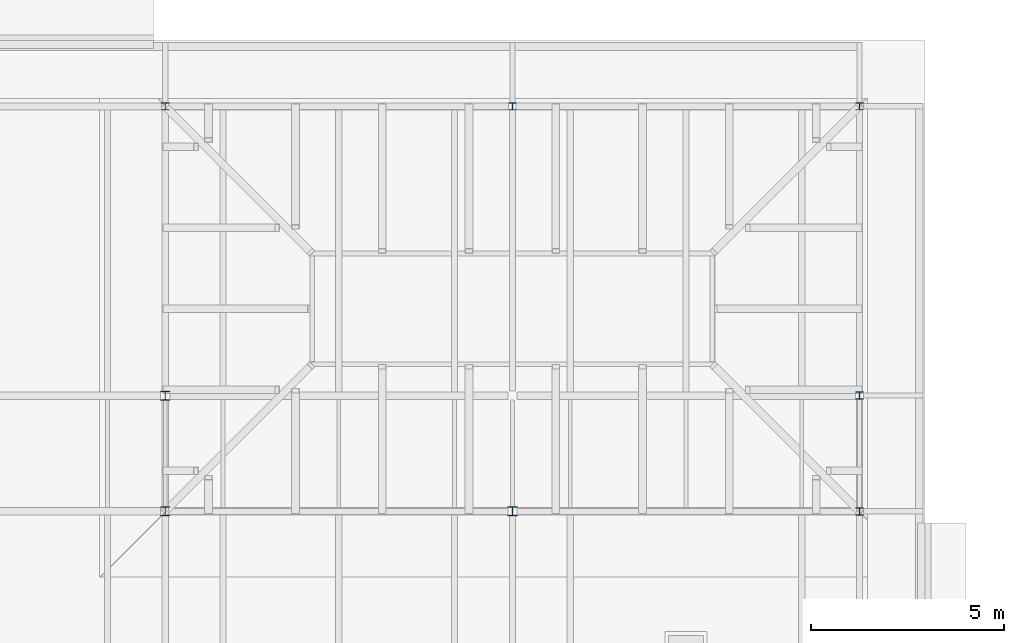
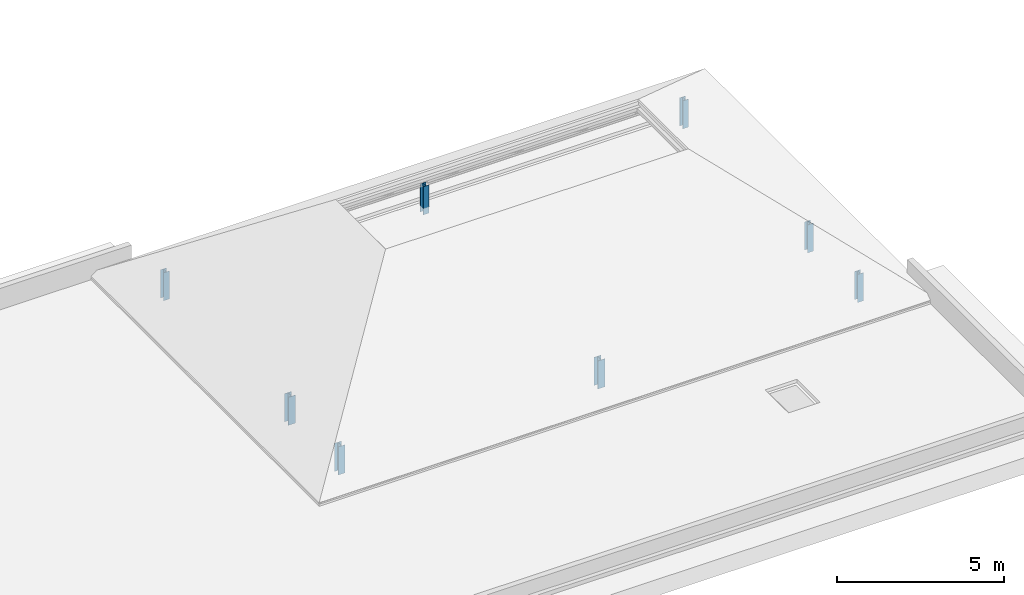
# One storey, part 6 of 42: 8 columns.
"""IFC4 building model written with IfcOpenShell, lengths in metres."""

import ifcopenshell
import ifcopenshell.guid

model = None  # the IFC model being written
_history = None  # IfcOwnerHistory: only IFC2X3 demands one
_inside = {}  # id of a spatial element -> (the spatial element, [elements in it])
_under = {}  # id of a project, library or spatial element -> (it, [spatial elements below it])
_declared = {}  # id of a project -> (the project, [libraries it declares])
_typed = {}  # id of a type object -> (the type object, [elements of that type])
_made_of = {}  # id of a material, layer set ... -> (it, [elements and type objects made of it])


def new_model(schema):
    """Start an empty IFC model of exactly this schema.

    Asked for "IFC4X3", IfcOpenShell would pick the latest addendum, in which some entities
    have other attributes; the version numbers below select the first issue.
    IFC2X3 requires an IfcOwnerHistory on every rooted entity: one is made here for all.
    """
    global model, _history
    if schema == "IFC4X3":
        model = ifcopenshell.file(schema_version=(4, 3, 0, 0))
    else:
        model = ifcopenshell.file(schema=schema)
    _inside.clear()
    _under.clear()
    _declared.clear()
    _typed.clear()
    _made_of.clear()
    _history = None
    if model.schema == "IFC2X3":
        org = make("IfcOrganization", Name="unknown")
        user = make(
            "IfcPersonAndOrganization",
            ThePerson=make("IfcPerson", FamilyName="unknown"),
            TheOrganization=org,
        )
        app = make(
            "IfcApplication",
            ApplicationDeveloper=org,
            Version="unknown",
            ApplicationFullName="unknown",
            ApplicationIdentifier="unknown",
        )
        _history = make(
            "IfcOwnerHistory",
            OwningUser=user,
            OwningApplication=app,
            ChangeAction="ADDED",
            CreationDate=0,
        )
    return model


def make(cls, **values):
    """One entity of the class cls with the attributes given. An attribute that is None is left unset."""
    return model.create_entity(
        cls, **{name: value for name, value in values.items() if value is not None}
    )


def rooted(cls, **values):
    """An entity with a GlobalId (a new one), such as an element, a storey or a relation."""
    return make(cls, GlobalId=ifcopenshell.guid.new(), OwnerHistory=_history, **values)


def si_unit(unit_type, name, prefix=None):
    """IfcSIUnit, for example si_unit("LENGTHUNIT", "METRE", prefix="MILLI")."""
    return make("IfcSIUnit", UnitType=unit_type, Prefix=prefix, Name=name)


def assignment(units):
    """IfcUnitAssignment: the units of a project."""
    return None if units is None else make("IfcUnitAssignment", Units=units)


def point(xyz):
    """IfcCartesianPoint."""
    return None if xyz is None else make("IfcCartesianPoint", Coordinates=xyz)


def direction(xyz):
    """IfcDirection."""
    return None if xyz is None else make("IfcDirection", DirectionRatios=xyz)


def frame(location, z_axis=None, x_axis=None):
    """IfcAxis2Placement3D, a coordinate frame: its origin and axes. An axis left out is left unset."""
    return make(
        "IfcAxis2Placement3D",
        Location=point(location),
        Axis=direction(z_axis),
        RefDirection=direction(x_axis),
    )


def frame_2d(location, x_axis=None):
    """IfcAxis2Placement2D, a coordinate frame in the plane: its origin and x axis."""
    return make(
        "IfcAxis2Placement2D", Location=point(location), RefDirection=direction(x_axis)
    )


def origin():
    """The frame at (0, 0, 0) with its axes left unset."""
    return frame((0.0, 0.0, 0.0))


def origin_2d():
    """The frame at (0, 0) in the plane with its x axis left unset."""
    return frame_2d((0.0, 0.0))


def place(relative_to, where):
    """IfcLocalPlacement: puts the frame where relative to a parent placement (None: the world)."""
    return make(
        "IfcLocalPlacement", PlacementRelTo=relative_to, RelativePlacement=where
    )


def context(
    kind, dimensions, precision=None, world=None, true_north=None, identifier=None
):
    """IfcGeometricRepresentationContext, for example the 3D "Model" context."""
    return make(
        "IfcGeometricRepresentationContext",
        ContextIdentifier=identifier,
        ContextType=kind,
        CoordinateSpaceDimension=dimensions,
        Precision=precision,
        WorldCoordinateSystem=world,
        TrueNorth=true_north,
    )


def subcontext(parent, identifier, kind, view, scale=None):
    """IfcGeometricRepresentationSubContext, for example "Body" below "Model"."""
    return make(
        "IfcGeometricRepresentationSubContext",
        ContextIdentifier=identifier,
        ContextType=kind,
        ParentContext=parent,
        TargetScale=scale,
        TargetView=view,
    )


def project(units=None, contexts=None):
    """IfcProject with its units and contexts."""
    return rooted(
        "IfcProject",
        Name="project",
        RepresentationContexts=contexts,
        UnitsInContext=assignment(units),
    )


def spatial(cls, under=None, at=None, **own):
    """A site, building, storey or space (cls), placed at a placement, below another one or the project."""
    s = rooted(cls, ObjectPlacement=at, **own)
    if under is not None:
        _under.setdefault(under.id(), (under, []))[1].append(s)
    return s


def profile(cls, at=None, kind="AREA", **sizes):
    """A parametric profile (cls). Its sizes go by their IFC names, for example OverallWidth=200.0."""
    return make(cls, ProfileType=kind, Position=at, **sizes)


def i_section(**sizes):
    """IfcIShapeProfileDef."""
    return profile("IfcIShapeProfileDef", **sizes)


def extrude(swept, where, along, depth):
    """IfcExtrudedAreaSolid: the profile swept, set in the frame where, extruded along a direction by depth."""
    return make(
        "IfcExtrudedAreaSolid",
        SweptArea=swept,
        Position=where,
        ExtrudedDirection=direction(along),
        Depth=depth,
    )


def shape(context_of_items, identifier, shape_type, items):
    """IfcShapeRepresentation: the items that make up one representation, for example the "Body"."""
    return make(
        "IfcShapeRepresentation",
        ContextOfItems=context_of_items,
        RepresentationIdentifier=identifier,
        RepresentationType=shape_type,
        Items=items,
    )


def material(Name=None, Category=None):
    """IfcMaterial."""
    return make("IfcMaterial", Name=Name, Category=Category)


def material_profile(
    of_material, cross_section, Name=None, Category=None, Priority=None
):
    """IfcMaterialProfile: a cross section and its material."""
    return make(
        "IfcMaterialProfile",
        Name=Name,
        Material=of_material,
        Profile=cross_section,
        Priority=Priority,
        Category=Category,
    )


def profile_set(profiles, Name=None, composite=None):
    """IfcMaterialProfileSet."""
    return make(
        "IfcMaterialProfileSet",
        Name=Name,
        MaterialProfiles=profiles,
        CompositeProfile=composite,
    )


def made_of(thing, what):
    """Note that an element or type object is made of a material, layer set ...; save() writes the relation."""
    if what is not None:
        _made_of.setdefault(what.id(), (what, []))[1].append(thing)
    return thing


def type_object(cls, material=None, **own):
    """A type object (cls), such as IfcWallType, which elements share."""
    return made_of(rooted(cls, **own), material)


def element(
    cls,
    number,
    at=None,
    inside=None,
    cuts=None,
    type_object=None,
    material=None,
    context=None,
    identifier="Body",
    shape_type=None,
    held_by="IfcProductDefinitionShape",
    body=None,
    shapes=None,
    **own,
):
    """One element of the class cls, such as IfcWall. Its Tag is "e" and its number.

    at: its placement. inside: the storey or other place that contains it. cuts: it is an
    opening in that element (IfcRelVoidsElement). A single representation is given by context,
    identifier, shape_type and body (its items); several are given by shapes. held_by: the class
    of the entity that holds the representations. save() writes the other relations.
    """
    e = rooted(cls, Tag="e%d" % number, ObjectPlacement=at, **own)
    if body is not None:
        shapes = [shape(context, identifier, shape_type, body)]
    if shapes is not None:
        e.Representation = make(held_by, Representations=shapes)
    if inside is not None:
        _inside.setdefault(inside.id(), (inside, []))[1].append(e)
    if cuts is not None:
        rooted(
            "IfcRelVoidsElement", RelatingBuildingElement=cuts, RelatedOpeningElement=e
        )
    if type_object is not None:
        _typed.setdefault(type_object.id(), (type_object, []))[1].append(e)
    return made_of(e, material)


def aggregate(whole, parts):
    """IfcRelAggregates: a whole, such as a stair, and the parts it consists of."""
    return rooted("IfcRelAggregates", RelatingObject=whole, RelatedObjects=parts)


def save(model, path):
    """Write the relations noted so far, then the file.

    IfcRelAggregates (storeys below a building ...), IfcRelContainedInSpatialStructure (elements
    in a storey), IfcRelDefinesByType, IfcRelAssociatesMaterial and IfcRelDeclares: one each for
    every whole, place, type object, material and project.
    """
    for whole, parts in _under.values():
        aggregate(whole, parts)
    for where, things in _inside.values():
        rooted(
            "IfcRelContainedInSpatialStructure",
            RelatedElements=things,
            RelatingStructure=where,
        )
    for kind, things in _typed.values():
        rooted("IfcRelDefinesByType", RelatedObjects=things, RelatingType=kind)
    for what, things in _made_of.values():
        rooted("IfcRelAssociatesMaterial", RelatedObjects=things, RelatingMaterial=what)
    for by, libraries in _declared.values():
        rooted("IfcRelDeclares", RelatingContext=by, RelatedDefinitions=libraries)
    model.write(path)


model = new_model("IFC4")

# Units and contexts
model_context = context("Model", 3, precision=1e-05, world=origin(), true_north=direction((0.0, 1.0)))
body_context = subcontext(model_context, "Body", "Model", "MODEL_VIEW")
ifc_project = project(units=[si_unit("LENGTHUNIT", "METRE"), si_unit("AREAUNIT", "SQUARE_METRE"), si_unit("VOLUMEUNIT", "CUBIC_METRE"), si_unit("PLANEANGLEUNIT", "RADIAN"), si_unit("MASSUNIT", "GRAM", prefix="KILO")], contexts=[model_context])

# Site, building, storey
site_placement = place(None, origin())
site = spatial("IfcSite", under=ifc_project, at=site_placement, CompositionType="ELEMENT")
building_placement = place(site_placement, origin())
building = spatial("IfcBuilding", under=site, at=building_placement, Name="Golden Quay Civic Hall", CompositionType="ELEMENT")
storey_placement = place(building_placement, frame((0.0, 0.0, 22.800048828125)))
storey = spatial("IfcBuildingStorey", under=building, at=storey_placement, Name="L05", CompositionType="ELEMENT", Elevation=22.800048828125)

# Columns
ifc_material_1 = material(Name="Steel S355", Category="steel")
ifc_material_profile_1 = material_profile(ifc_material_1, i_section(OverallWidth=0.199951171875, OverallDepth=0.18994140625, WebThickness=0.006591796875, FlangeThickness=0.010009765625, FilletRadius=0.01806640625, at=origin_2d()), Name="HEA 200")
ifc_profile_set_1 = profile_set([ifc_material_profile_1], Name="Steel S355")
column_type_1 = type_object("IfcColumnType", Name="Steel roof post HEA 200", PredefinedType="COLUMN", material=ifc_profile_set_1)
for number, where, z_axis, x_axis, name in (
    (1, (36.0, 81.0, -0.25), (0.0, 0.0, 1.0), (1.0, 0.0, 0.0), "Roof post 36/81"),
    (2, (45.0, 81.0, -0.25), (0.0, 0.0, 1.0), (1.0, 0.0, 0.0), "Roof post 45/81"),
    (3, (54.0, 70.5, -0.25), (0.0, 0.0, 1.0), (1.0, 0.0, 0.0), "Roof post 54/70.5"),
    (4, (54.0, 73.5, -0.25), (0.0, 0.0, 1.0), (1.0, 0.0, 0.0), "Roof post 54/73.5"),
    (5, (54.0, 81.0, -0.25), (0.0, 0.0, 1.0), (1.0, 0.0, 0.0), "Roof post 54/81"),
):
    element("IfcColumn", number, at=place(storey_placement, frame(where, z_axis=z_axis, x_axis=x_axis)), inside=storey, type_object=column_type_1, Name=name, PredefinedType="COLUMN", context=body_context, shape_type="SweptSolid", body=[
        extrude(i_section(OverallWidth=0.199951171875, OverallDepth=0.18994140625, WebThickness=0.006591796875, FlangeThickness=0.010009765625, FilletRadius=0.01806640625, at=origin_2d()), origin(), (0.0, 0.0, 1.0), 1.030029296875),
    ])
ifc_material_2 = material(Name="Steel S355", Category="steel")
ifc_material_profile_2 = material_profile(ifc_material_2, i_section(OverallWidth=0.239990234375, OverallDepth=0.22998046875, WebThickness=0.007568359375, FlangeThickness=0.011962890625, FilletRadius=0.02099609375, at=origin_2d()), Name="HEA 240")
ifc_profile_set_2 = profile_set([ifc_material_profile_2], Name="Steel S355")
column_type_2 = type_object("IfcColumnType", Name="Steel roof post HEA 240", PredefinedType="COLUMN", material=ifc_profile_set_2)
for number, where, z_axis, x_axis, name in (
    (6, (36.0, 70.5, -0.25), (0.0, 0.0, 1.0), (1.0, 0.0, 0.0), "Roof post 36/70.5"),
    (7, (36.0, 73.5, -0.25), (0.0, 0.0, 1.0), (1.0, 0.0, 0.0), "Roof post 36/73.5"),
    (8, (45.0, 70.5, -0.25), (0.0, 0.0, 1.0), (1.0, 0.0, 0.0), "Roof post 45/70.5"),
):
    element("IfcColumn", number, at=place(storey_placement, frame(where, z_axis=z_axis, x_axis=x_axis)), inside=storey, type_object=column_type_2, Name=name, PredefinedType="COLUMN", context=body_context, shape_type="SweptSolid", body=[
        extrude(i_section(OverallWidth=0.239990234375, OverallDepth=0.22998046875, WebThickness=0.007568359375, FlangeThickness=0.011962890625, FilletRadius=0.02099609375, at=origin_2d()), origin(), (0.0, 0.0, 1.0), 1.030029296875),
    ])

save(model, "model.ifc")
